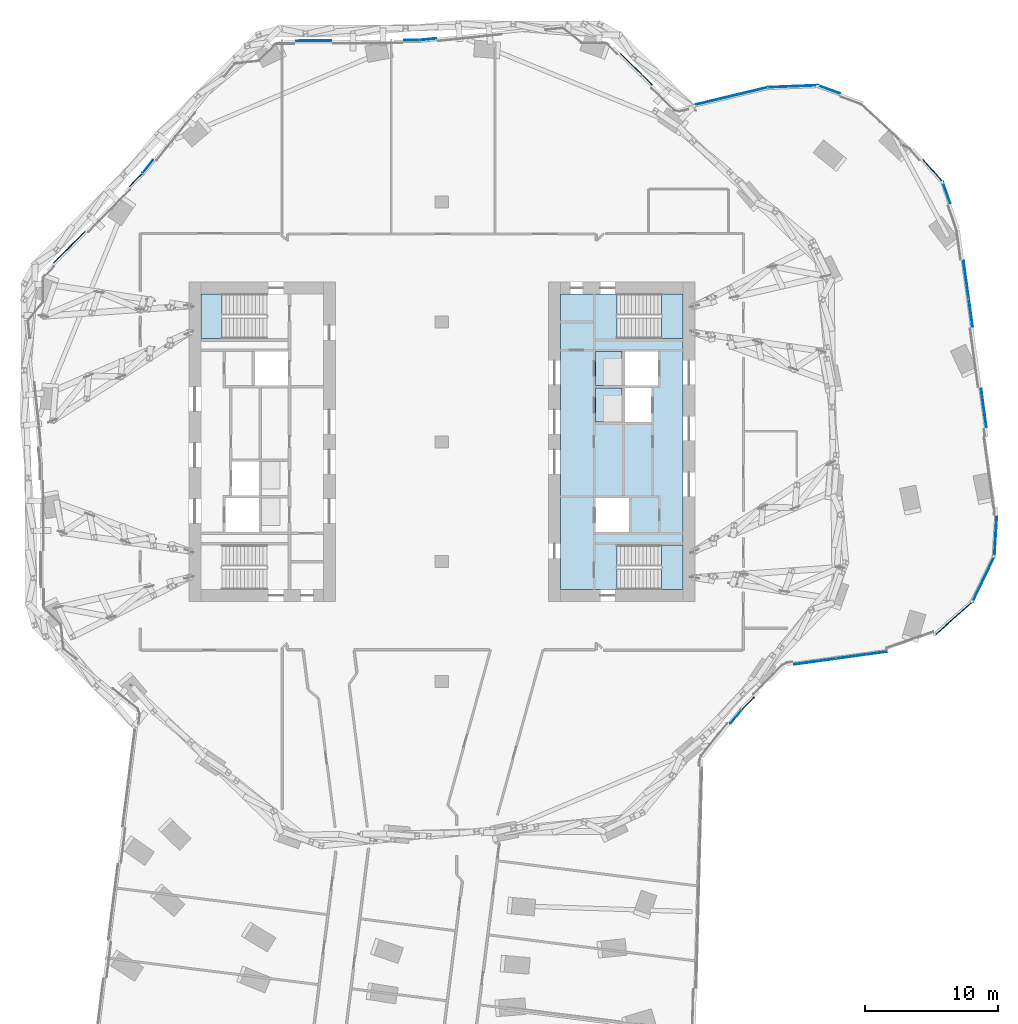
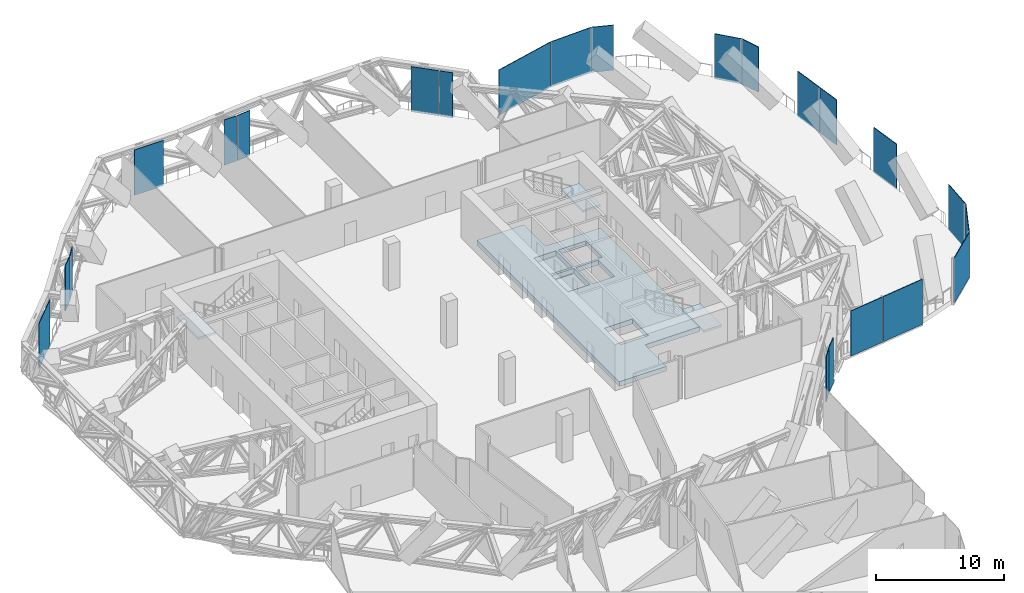
# One storey, part 17 of 27: 23 plates, 6 slabs, 20 elements without a shape of their own.
"""IFC4 building model written with IfcOpenShell, lengths in metres."""

from ifc_helpers import new_model, si_unit, direction, frame, origin, origin_2d, place, context, subcontext, project, spatial, polyline, rectangle, outline, extrude, material, layer, layer_set, type_object, element, aggregate, save


model = new_model("IFC4")

# Units and contexts
model_context = context("Model", 3, precision=1e-05, world=origin(), true_north=direction((0.0, 1.0)))
body_context = subcontext(model_context, "Body", "Model", "MODEL_VIEW")
ifc_project = project(units=[si_unit("LENGTHUNIT", "METRE"), si_unit("AREAUNIT", "SQUARE_METRE"), si_unit("VOLUMEUNIT", "CUBIC_METRE"), si_unit("PLANEANGLEUNIT", "RADIAN"), si_unit("MASSUNIT", "GRAM", prefix="KILO")], contexts=[model_context])

# Site, building, storey
site_placement = place(None, origin())
site = spatial("IfcSite", under=ifc_project, at=site_placement, CompositionType="ELEMENT")
building_placement = place(site_placement, origin())
building = spatial("IfcBuilding", under=site, at=building_placement, Name="Orlundy Tower", CompositionType="ELEMENT")
storey_placement = place(building_placement, frame((0.0, 0.0, 206.10009765625)))
storey = spatial("IfcBuildingStorey", under=building, at=storey_placement, Name="L54", CompositionType="ELEMENT", Elevation=206.10009765625)

# Curtain wall, plates
ifc_material_1 = material(Name="Aluminium bronze anodised", Category="aluminium")
curtain_wall_type = type_object("IfcCurtainWallType", Name="CW4 wall", PredefinedType="NOTDEFINED", material=ifc_material_1)
curtain_wall_1_placement = place(storey_placement, origin())
curtain_wall_1 = element("IfcCurtainWall", 1, at=curtain_wall_1_placement, inside=storey, type_object=curtain_wall_type, Name="CW4 run 07", PredefinedType="NOTDEFINED")
ifc_material_2 = material(Name="Louvre aluminium bronze anodised", Category="aluminium")
ifc_layer_1 = layer(ifc_material_2, 0.06005859375)
ifc_layer_set_1 = layer_set([ifc_layer_1], Name="CW4 louvre panel 60")
plate_type = type_object("IfcPlateType", Name="CW4 louvre panel 60", PredefinedType="CURTAIN_PANEL", material=ifc_layer_set_1)
plate_1_placement = place(storey_placement, frame((-27.978271484375, 14.612060546875, -0.30029296875), z_axis=(0.0, 0.0, 1.0), x_axis=(0.702982745512, 0.711206903448, 0.0)))
plate_1 = element("IfcPlate", 2, at=plate_1_placement, type_object=plate_type, Name="CW4 louvre", PredefinedType="CURTAIN_PANEL", context=body_context, shape_type="SweptSolid", body=[
    extrude(rectangle(XDim=3.348876953125, YDim=0.06005859375, at=origin_2d()), origin(), (0.0, 0.0, 1.0), 4.300048828125),
])
plate_2_placement = place(storey_placement, frame((-22.994140625, 19.654541015625, -0.30029296875), z_axis=(0.0, 0.0, 1.0), x_axis=(0.702982745512, 0.711206903448, 0.0)))
plate_2 = element("IfcPlate", 3, at=plate_2_placement, type_object=plate_type, Name="CW4 louvre", PredefinedType="CURTAIN_PANEL", context=body_context, shape_type="SweptSolid", body=[
    extrude(rectangle(XDim=1.3291015625, YDim=0.06005859375, at=origin_2d()), origin(), (0.0, 0.0, 1.0), 4.300048828125),
])
aggregate(curtain_wall_1, [plate_1, plate_2])

# Curtain wall, plate
curtain_wall_2_placement = place(storey_placement, origin())
curtain_wall_2 = element("IfcCurtainWall", 4, at=curtain_wall_2_placement, inside=storey, type_object=curtain_wall_type, Name="CW4 run 08", PredefinedType="NOTDEFINED")
plate_3_placement = place(storey_placement, frame((-22.088623046875, 20.663818359375, -0.30029296875), z_axis=(0.0, 0.0, 1.0), x_axis=(0.629332323608, 0.77713629851, 0.0)))
plate_3 = element("IfcPlate", 5, at=plate_3_placement, type_object=plate_type, Name="CW4 louvre", PredefinedType="CURTAIN_PANEL", context=body_context, shape_type="SweptSolid", body=[
    extrude(rectangle(XDim=1.26611328125, YDim=0.06005859375, at=origin_2d()), origin(), (0.0, 0.0, 1.0), 4.300048828125),
])
aggregate(curtain_wall_2, [plate_3])

# Curtain wall, plates
curtain_wall_3_placement = place(storey_placement, origin())
curtain_wall_3 = element("IfcCurtainWall", 6, at=curtain_wall_3_placement, inside=storey, type_object=curtain_wall_type, Name="CW4 run 011", PredefinedType="NOTDEFINED")
plate_4_placement = place(storey_placement, frame((-9.61279296875, 30.114501953125, -0.30029296875), z_axis=(0.0, 0.0, 1.0), x_axis=(0.999982882396, 0.005851060933, 0.0)))
plate_4 = element("IfcPlate", 7, at=plate_4_placement, type_object=plate_type, Name="CW4 louvre", PredefinedType="CURTAIN_PANEL", context=body_context, shape_type="SweptSolid", body=[
    extrude(rectangle(XDim=2.64453125, YDim=0.06005859375, at=origin_2d()), origin(), (0.0, 0.0, 1.0), 4.300048828125),
])
plate_5_placement = place(storey_placement, frame((-2.265869140625, 30.157470703125, -0.30029296875), z_axis=(0.0, 0.0, 1.0), x_axis=(0.999982882396, 0.005851060933, 0.0)))
plate_5 = element("IfcPlate", 8, at=plate_5_placement, type_object=plate_type, Name="CW4 louvre", PredefinedType="CURTAIN_PANEL", context=body_context, shape_type="SweptSolid", body=[
    extrude(rectangle(XDim=1.126708984375, YDim=0.06005859375, at=origin_2d()), origin(), (0.0, 0.0, 1.0), 4.300048828125),
])
aggregate(curtain_wall_3, [plate_4, plate_5])

# Curtain wall, plate
curtain_wall_4_placement = place(storey_placement, origin())
curtain_wall_4 = element("IfcCurtainWall", 9, at=curtain_wall_4_placement, inside=storey, type_object=curtain_wall_type, Name="CW4 run 012", PredefinedType="NOTDEFINED")
plate_6_placement = place(storey_placement, frame((-1.037353515625, 30.227783203125, -0.30029296875), z_axis=(0.0, 0.0, 1.0), x_axis=(0.994522461447, 0.104523077247, 0.0)))
plate_6 = element("IfcPlate", 10, at=plate_6_placement, type_object=plate_type, Name="CW4 louvre", PredefinedType="CURTAIN_PANEL", context=body_context, shape_type="SweptSolid", body=[
    extrude(rectangle(XDim=1.217041015625, YDim=0.06005859375, at=origin_2d()), origin(), (0.0, 0.0, 1.0), 4.300048828125),
])
aggregate(curtain_wall_4, [plate_6])

# Curtain wall, plates
curtain_wall_5_placement = place(storey_placement, origin())
curtain_wall_5 = element("IfcCurtainWall", 11, at=curtain_wall_5_placement, inside=storey, type_object=curtain_wall_type, Name="CW4 run 015", PredefinedType="NOTDEFINED")
plate_7_placement = place(storey_placement, frame((14.22119140625, 28.36474609375, -0.30029296875), z_axis=(0.0, 0.0, 1.0), x_axis=(0.711222007067, -0.702967464869, 0.0)))
plate_7 = element("IfcPlate", 12, at=plate_7_placement, type_object=plate_type, Name="CW4 louvre", PredefinedType="CURTAIN_PANEL", context=body_context, shape_type="SweptSolid", body=[
    extrude(rectangle(XDim=2.249755859375, YDim=0.06005859375, at=origin_2d()), origin(), (0.0, 0.0, 1.0), 4.300048828125),
])
plate_8_placement = place(storey_placement, frame((15.433349609375, 27.16650390625, -0.30029296875), z_axis=(0.0, 0.0, 1.0), x_axis=(0.711222007067, -0.702967464869, 0.0)))
plate_8 = element("IfcPlate", 13, at=plate_8_placement, type_object=plate_type, Name="CW4 louvre", PredefinedType="CURTAIN_PANEL", context=body_context, shape_type="SweptSolid", body=[
    extrude(rectangle(XDim=1.039306640625, YDim=0.06005859375, at=origin_2d()), origin(), (0.0, 0.0, 1.0), 4.300048828125),
])
aggregate(curtain_wall_5, [plate_7, plate_8])

# Curtain wall, plate
curtain_wall_6_placement = place(storey_placement, origin())
curtain_wall_6 = element("IfcCurtainWall", 14, at=curtain_wall_6_placement, inside=storey, type_object=curtain_wall_type, Name="CW4 run 016", PredefinedType="NOTDEFINED")
plate_9_placement = place(storey_placement, frame((21.770263671875, 25.9697265625, -0.30029296875), z_axis=(0.0, 0.0, 1.0), x_axis=(0.972352794057, 0.233516688676, 0.0)))
plate_9 = element("IfcPlate", 15, at=plate_9_placement, type_object=plate_type, Name="CW4 louvre", PredefinedType="CURTAIN_PANEL", context=body_context, shape_type="SweptSolid", body=[
    extrude(rectangle(XDim=5.510498046875, YDim=0.06005859375, at=origin_2d()), origin(), (0.0, 0.0, 1.0), 4.300048828125),
])
aggregate(curtain_wall_6, [plate_9])

curtain_wall_7_placement = place(storey_placement, origin())
curtain_wall_7 = element("IfcCurtainWall", 16, at=curtain_wall_7_placement, inside=storey, type_object=curtain_wall_type, Name="CW4 run 017", PredefinedType="NOTDEFINED")
plate_10_placement = place(storey_placement, frame((26.370849609375, 26.6943359375, -0.30029296875), z_axis=(0.0, 0.0, 1.0), x_axis=(0.999234640913, 0.039116906831, 0.0)))
plate_10 = element("IfcPlate", 17, at=plate_10_placement, type_object=plate_type, Name="CW4 louvre", PredefinedType="CURTAIN_PANEL", context=body_context, shape_type="SweptSolid", body=[
    extrude(rectangle(XDim=3.727294921875, YDim=0.06005859375, at=origin_2d()), origin(), (0.0, 0.0, 1.0), 4.300048828125),
])
aggregate(curtain_wall_7, [plate_10])

curtain_wall_8_placement = place(storey_placement, origin())
curtain_wall_8 = element("IfcCurtainWall", 18, at=curtain_wall_8_placement, inside=storey, type_object=curtain_wall_type, Name="CW4 run 018", PredefinedType="NOTDEFINED")
plate_11_placement = place(storey_placement, frame((29.064453125, 26.46044921875, -0.30029296875), z_axis=(0.0, 0.0, 1.0), x_axis=(0.938200265188, -0.346092852283, 0.0)))
plate_11 = element("IfcPlate", 19, at=plate_11_placement, type_object=plate_type, Name="CW4 louvre", PredefinedType="CURTAIN_PANEL", context=body_context, shape_type="SweptSolid", body=[
    extrude(rectangle(XDim=1.772216796875, YDim=0.06005859375, at=origin_2d()), origin(), (0.0, 0.0, 1.0), 4.300048828125),
])
aggregate(curtain_wall_8, [plate_11])

curtain_wall_9_placement = place(storey_placement, origin())
curtain_wall_9 = element("IfcCurtainWall", 20, at=curtain_wall_9_placement, inside=storey, type_object=curtain_wall_type, Name="CW4 run 022", PredefinedType="NOTDEFINED")
plate_12_placement = place(storey_placement, frame((36.87939453125, 20.356689453125, -0.30029296875), z_axis=(0.0, 0.0, 1.0), x_axis=(0.663760711342, -0.747944996694, 0.0)))
plate_12 = element("IfcPlate", 21, at=plate_12_placement, type_object=plate_type, Name="CW4 louvre", PredefinedType="CURTAIN_PANEL", context=body_context, shape_type="SweptSolid", body=[
    extrude(rectangle(XDim=2.257568359375, YDim=0.06005859375, at=origin_2d()), origin(), (0.0, 0.0, 1.0), 4.300048828125),
])
aggregate(curtain_wall_9, [plate_12])

curtain_wall_10_placement = place(storey_placement, origin())
curtain_wall_10 = element("IfcCurtainWall", 22, at=curtain_wall_10_placement, inside=storey, type_object=curtain_wall_type, Name="CW4 run 023", PredefinedType="NOTDEFINED")
plate_13_placement = place(storey_placement, frame((37.90478515625, 18.71435546875, -0.30029296875), z_axis=(0.0, 0.0, 1.0), x_axis=(0.32697157273, -0.945034174317, 0.0)))
plate_13 = element("IfcPlate", 23, at=plate_13_placement, type_object=plate_type, Name="CW4 louvre", PredefinedType="CURTAIN_PANEL", context=body_context, shape_type="SweptSolid", body=[
    extrude(rectangle(XDim=1.689208984375, YDim=0.06005859375, at=origin_2d()), origin(), (0.0, 0.0, 1.0), 4.300048828125),
])
aggregate(curtain_wall_10, [plate_13])

# Curtain wall, plates
curtain_wall_11_placement = place(storey_placement, origin())
curtain_wall_11 = element("IfcCurtainWall", 24, at=curtain_wall_11_placement, inside=storey, type_object=curtain_wall_type, Name="CW4 run 024", PredefinedType="NOTDEFINED")
plate_14_placement = place(storey_placement, frame((39.3779296875, 12.17626953125, -0.30029296875), z_axis=(0.0, 0.0, 1.0), x_axis=(0.13628610677, -0.990669519619, 0.0)))
plate_14 = element("IfcPlate", 25, at=plate_14_placement, type_object=plate_type, Name="CW4 louvre", PredefinedType="CURTAIN_PANEL", context=body_context, shape_type="SweptSolid", body=[
    extrude(rectangle(XDim=2.8310546875, YDim=0.06005859375, at=origin_2d()), origin(), (0.0, 0.0, 1.0), 4.300048828125),
])
plate_15_placement = place(storey_placement, frame((39.72119140625, 9.680908203125, -0.30029296875), z_axis=(0.0, 0.0, 1.0), x_axis=(0.13628610677, -0.990669519619, 0.0)))
plate_15 = element("IfcPlate", 26, at=plate_15_placement, type_object=plate_type, Name="CW4 louvre", PredefinedType="CURTAIN_PANEL", context=body_context, shape_type="SweptSolid", body=[
    extrude(rectangle(XDim=2.086669921875, YDim=0.06005859375, at=origin_2d()), origin(), (0.0, 0.0, 1.0), 4.300048828125),
])
plate_16_placement = place(storey_placement, frame((40.703369140625, 2.541015625, -0.30029296875), z_axis=(0.0, 0.0, 1.0), x_axis=(0.13628610677, -0.990669519619, 0.0)))
plate_16 = element("IfcPlate", 27, at=plate_16_placement, type_object=plate_type, Name="CW4 louvre", PredefinedType="CURTAIN_PANEL", context=body_context, shape_type="SweptSolid", body=[
    extrude(rectangle(XDim=2.9072265625, YDim=0.06005859375, at=origin_2d()), origin(), (0.0, 0.0, 1.0), 4.300048828125),
])
aggregate(curtain_wall_11, [plate_14, plate_15, plate_16])

# Curtain wall, plate
curtain_wall_12_placement = place(storey_placement, origin())
curtain_wall_12 = element("IfcCurtainWall", 28, at=curtain_wall_12_placement, inside=storey, type_object=curtain_wall_type, Name="CW4 run 025", PredefinedType="NOTDEFINED")
plate_17_placement = place(storey_placement, frame((41.58935546875, -7.124267578125, -0.30029296875), z_axis=(0.0, 0.0, 1.0), x_axis=(-0.059623466872, -0.998220938569, 0.0)))
plate_17 = element("IfcPlate", 29, at=plate_17_placement, type_object=plate_type, Name="CW4 louvre", PredefinedType="CURTAIN_PANEL", context=body_context, shape_type="SweptSolid", body=[
    extrude(rectangle(XDim=3.00830078125, YDim=0.06005859375, at=origin_2d()), origin(), (0.0, 0.0, 1.0), 4.300048828125),
])
aggregate(curtain_wall_12, [plate_17])

curtain_wall_13_placement = place(storey_placement, origin())
curtain_wall_13 = element("IfcCurtainWall", 30, at=curtain_wall_13_placement, inside=storey, type_object=curtain_wall_type, Name="CW4 run 026", PredefinedType="NOTDEFINED")
plate_18_placement = place(storey_placement, frame((40.6748046875, -10.3232421875, -0.30029296875), z_axis=(0.0, 0.0, 1.0), x_axis=(-0.437041163358, -0.899441505342, 0.0)))
plate_18 = element("IfcPlate", 31, at=plate_18_placement, type_object=plate_type, Name="CW4 louvre", PredefinedType="CURTAIN_PANEL", context=body_context, shape_type="SweptSolid", body=[
    extrude(rectangle(XDim=3.7744140625, YDim=0.06005859375, at=origin_2d()), origin(), (0.0, 0.0, 1.0), 4.300048828125),
])
aggregate(curtain_wall_13, [plate_18])

curtain_wall_14_placement = place(storey_placement, origin())
curtain_wall_14 = element("IfcCurtainWall", 32, at=curtain_wall_14_placement, inside=storey, type_object=curtain_wall_type, Name="CW4 run 027", PredefinedType="NOTDEFINED")
plate_19_placement = place(storey_placement, frame((38.438720703125, -13.273193359375, -0.30029296875), z_axis=(0.0, 0.0, 1.0), x_axis=(-0.747944996694, -0.663760711342, 0.0)))
plate_19 = element("IfcPlate", 33, at=plate_19_placement, type_object=plate_type, Name="CW4 louvre", PredefinedType="CURTAIN_PANEL", context=body_context, shape_type="SweptSolid", body=[
    extrude(rectangle(XDim=3.773681640625, YDim=0.06005859375, at=origin_2d()), origin(), (0.0, 0.0, 1.0), 4.300048828125),
])
aggregate(curtain_wall_14, [plate_19])

# Curtain wall, plates
curtain_wall_15_placement = place(storey_placement, origin())
curtain_wall_15 = element("IfcCurtainWall", 34, at=curtain_wall_15_placement, inside=storey, type_object=curtain_wall_type, Name="CW4 run 029", PredefinedType="NOTDEFINED")
plate_20_placement = place(storey_placement, frame((31.540283203125, -16.0205078125, -0.30029296875), z_axis=(0.0, 0.0, 1.0), x_axis=(-0.990668435814, -0.13629398476, 0.0)))
plate_20 = element("IfcPlate", 35, at=plate_20_placement, type_object=plate_type, Name="CW4 louvre", PredefinedType="CURTAIN_PANEL", context=body_context, shape_type="SweptSolid", body=[
    extrude(rectangle(XDim=3.848876953125, YDim=0.06005859375, at=origin_2d()), origin(), (0.0, 0.0, 1.0), 4.300048828125),
])
plate_21_placement = place(storey_placement, frame((28.01708984375, -16.505126953125, -0.30029296875), z_axis=(0.0, 0.0, 1.0), x_axis=(-0.990668435814, -0.13629398476, 0.0)))
plate_21 = element("IfcPlate", 36, at=plate_21_placement, type_object=plate_type, Name="CW4 louvre", PredefinedType="CURTAIN_PANEL", context=body_context, shape_type="SweptSolid", body=[
    extrude(rectangle(XDim=3.143798828125, YDim=0.06005859375, at=origin_2d()), origin(), (0.0, 0.0, 1.0), 4.300048828125),
])
aggregate(curtain_wall_15, [plate_20, plate_21])

# Curtain wall, plate
curtain_wall_16_placement = place(storey_placement, origin())
curtain_wall_16 = element("IfcCurtainWall", 37, at=curtain_wall_16_placement, inside=storey, type_object=curtain_wall_type, Name="CW4 run 030", PredefinedType="NOTDEFINED")
plate_22_placement = place(storey_placement, frame((22.9931640625, -19.654541015625, -0.30029296875), z_axis=(0.0, 0.0, 1.0), x_axis=(-0.7029991667, -0.711190671774, 0.0)))
plate_22 = element("IfcPlate", 38, at=plate_22_placement, type_object=plate_type, Name="CW4 louvre", PredefinedType="CURTAIN_PANEL", context=body_context, shape_type="SweptSolid", body=[
    extrude(rectangle(XDim=1.3291015625, YDim=0.06005859375, at=origin_2d()), origin(), (0.0, 0.0, 1.0), 4.300048828125),
])
aggregate(curtain_wall_16, [plate_22])

curtain_wall_17_placement = place(storey_placement, origin())
curtain_wall_17 = element("IfcCurtainWall", 39, at=curtain_wall_17_placement, inside=storey, type_object=curtain_wall_type, Name="CW4 run 031", PredefinedType="NOTDEFINED")
plate_23_placement = place(storey_placement, frame((22.087890625, -20.663330078125, -0.30029296875), z_axis=(0.0, 0.0, 1.0), x_axis=(-0.629325243797, -0.777142031755, 0.0)))
plate_23 = element("IfcPlate", 40, at=plate_23_placement, type_object=plate_type, Name="CW4 louvre", PredefinedType="CURTAIN_PANEL", context=body_context, shape_type="SweptSolid", body=[
    extrude(rectangle(XDim=1.2646484375, YDim=0.06005859375, at=origin_2d()), origin(), (0.0, 0.0, 1.0), 4.300048828125),
])
aggregate(curtain_wall_17, [plate_23])

# Slab
ifc_material_3 = material(Name="Concrete C50/60", Category="concrete")
ifc_layer_2 = layer(ifc_material_3, 0.449951171875)
ifc_layer_set_2 = layer_set([ifc_layer_2], Name="Core Floor Slab 450")
slab_type_1 = type_object("IfcSlabType", Name="Core Floor Slab 450", PredefinedType="FLOOR", material=ifc_layer_set_2)
slab_1_placement = place(storey_placement, frame((0.0, 0.0, -0.4501953125)))
element("IfcSlab", 41, at=slab_1_placement, inside=storey, type_object=slab_type_1, Name="Core floor E41", PredefinedType="FLOOR", context=body_context, shape_type="SweptSolid", body=[
    extrude(outline(polyline([(13.14501953125, -7.75), (13.14501953125, -11.10009765625), (8.89990234375, -11.10009765625), (8.89990234375, 11.10009765625), (13.14501953125, 11.10009765625), (13.14501953125, 7.75), (18.10009765625, 7.75), (18.10009765625, -7.75), (13.14501953125, -7.75)]), holes=[polyline([(13.5400390625, 6.77490234375), (11.5400390625, 6.77490234375), (11.5400390625, 4.22509765625), (13.5400390625, 4.22509765625), (13.5400390625, 6.77490234375)]), polyline([(16.239990234375, 4.22509765625), (16.239990234375, 6.77490234375), (13.739990234375, 6.77490234375), (13.739990234375, 4.22509765625), (16.239990234375, 4.22509765625)]), polyline([(11.5400390625, 1.47509765625), (13.5400390625, 1.47509765625), (13.5400390625, 4.02490234375), (11.5400390625, 4.02490234375), (11.5400390625, 1.47509765625)]), polyline([(13.739990234375, 4.02490234375), (13.739990234375, 1.47509765625), (15.739990234375, 1.47509765625), (15.739990234375, 4.02490234375), (13.739990234375, 4.02490234375)]), polyline([(14.0400390625, -4.22509765625), (11.5400390625, -4.22509765625), (11.5400390625, -6.77490234375), (14.0400390625, -6.77490234375), (14.0400390625, -4.22509765625)])]), origin(), (0.0, 0.0, 1.0), 0.4501953125),
])

# Stair, slab
ifc_material_4 = material(Name="Concrete C50/60", Category="concrete")
stair_type = type_object("IfcStairType", Name="Exit Stair 26 risers", PredefinedType="HALF_TURN_STAIR", material=ifc_material_4)
stair_1_placement = place(storey_placement, origin())
stair_1 = element("IfcStair", 42, at=stair_1_placement, inside=storey, type_object=stair_type, Name="L54 Exit Stair ST-W1", PredefinedType="HALF_TURN_STAIR")
ifc_material_5 = material(Name="Concrete C50/60", Category="concrete")
ifc_layer_3 = layer(ifc_material_5, 0.199951171875)
ifc_layer_set_3 = layer_set([ifc_layer_3], Name="Exit Stair Landing")
slab_type_2 = type_object("IfcSlabType", Name="Exit Stair Landing", PredefinedType="LANDING", material=ifc_layer_set_3)
slab_2_placement = place(storey_placement, frame((0.0, 0.0, 2.0)))
slab_2 = element("IfcSlab", 43, at=slab_2_placement, type_object=slab_type_2, Name="ST-W1 landing 1", PredefinedType="LANDING", context=body_context, shape_type="SweptSolid", body=[
    extrude(outline(polyline([(-16.5, 11.10009765625), (-18.10009765625, 11.10009765625), (-18.10009765625, 7.75), (-16.5, 7.75), (-16.5, 11.10009765625)])), origin(), (0.0, 0.0, 1.0), 0.199951171875),
])
aggregate(stair_1, [slab_2])

stair_2_placement = place(storey_placement, origin())
stair_2 = element("IfcStair", 44, at=stair_2_placement, inside=storey, type_object=stair_type, Name="L54 Exit Stair ST-E1", PredefinedType="HALF_TURN_STAIR")
slab_3_placement = place(storey_placement, frame((0.0, 0.0, 2.0)))
slab_3 = element("IfcSlab", 45, at=slab_3_placement, type_object=slab_type_2, Name="ST-E1 landing 1", PredefinedType="LANDING", context=body_context, shape_type="SweptSolid", body=[
    extrude(outline(polyline([(16.5, -11.10009765625), (18.10009765625, -11.10009765625), (18.10009765625, -7.75), (16.5, -7.75), (16.5, -11.10009765625)])), origin(), (0.0, 0.0, 1.0), 0.199951171875),
])
aggregate(stair_2, [slab_3])

stair_3_placement = place(storey_placement, origin())
stair_3 = element("IfcStair", 46, at=stair_3_placement, inside=storey, type_object=stair_type, Name="L54 Exit Stair ST-E2", PredefinedType="HALF_TURN_STAIR")
slab_4_placement = place(storey_placement, frame((0.0, 0.0, 2.0)))
slab_4 = element("IfcSlab", 47, at=slab_4_placement, type_object=slab_type_2, Name="ST-E2 landing 1", PredefinedType="LANDING", context=body_context, shape_type="SweptSolid", body=[
    extrude(outline(polyline([(16.5, 7.75), (18.10009765625, 7.75), (18.10009765625, 11.10009765625), (16.5, 11.10009765625), (16.5, 7.75)])), origin(), (0.0, 0.0, 1.0), 0.199951171875),
])
aggregate(stair_3, [slab_4])

# Slabs
ifc_material_6 = material(Name="Concrete C50/60", Category="concrete")
ifc_layer_4 = layer(ifc_material_6, 0.25)
ifc_layer_set_4 = layer_set([ifc_layer_4], Name="Lift Pit Slab")
slab_type_3 = type_object("IfcSlabType", Name="Lift Pit Slab", PredefinedType="BASESLAB", material=ifc_layer_set_4)
slab_5_placement = place(storey_placement, frame((0.0, 0.0, -0.75)))
element("IfcSlab", 48, at=slab_5_placement, inside=storey, type_object=slab_type_3, Name="Lift pit floor LP-24", PredefinedType="BASESLAB", context=body_context, shape_type="SweptSolid", body=[
    extrude(outline(polyline([(11.5400390625, 6.77490234375), (13.5400390625, 6.77490234375), (13.5400390625, 4.22509765625), (11.5400390625, 4.22509765625), (11.5400390625, 6.77490234375)])), origin(), (0.0, 0.0, 1.0), 0.25),
])
slab_6_placement = place(storey_placement, frame((0.0, 0.0, -0.75)))
element("IfcSlab", 49, at=slab_6_placement, inside=storey, type_object=slab_type_3, Name="Lift pit floor LP-23", PredefinedType="BASESLAB", context=body_context, shape_type="SweptSolid", body=[
    extrude(outline(polyline([(11.5400390625, 4.02490234375), (13.5400390625, 4.02490234375), (13.5400390625, 1.47509765625), (11.5400390625, 1.47509765625), (11.5400390625, 4.02490234375)])), origin(), (0.0, 0.0, 1.0), 0.25),
])

save(model, "model.ifc")
